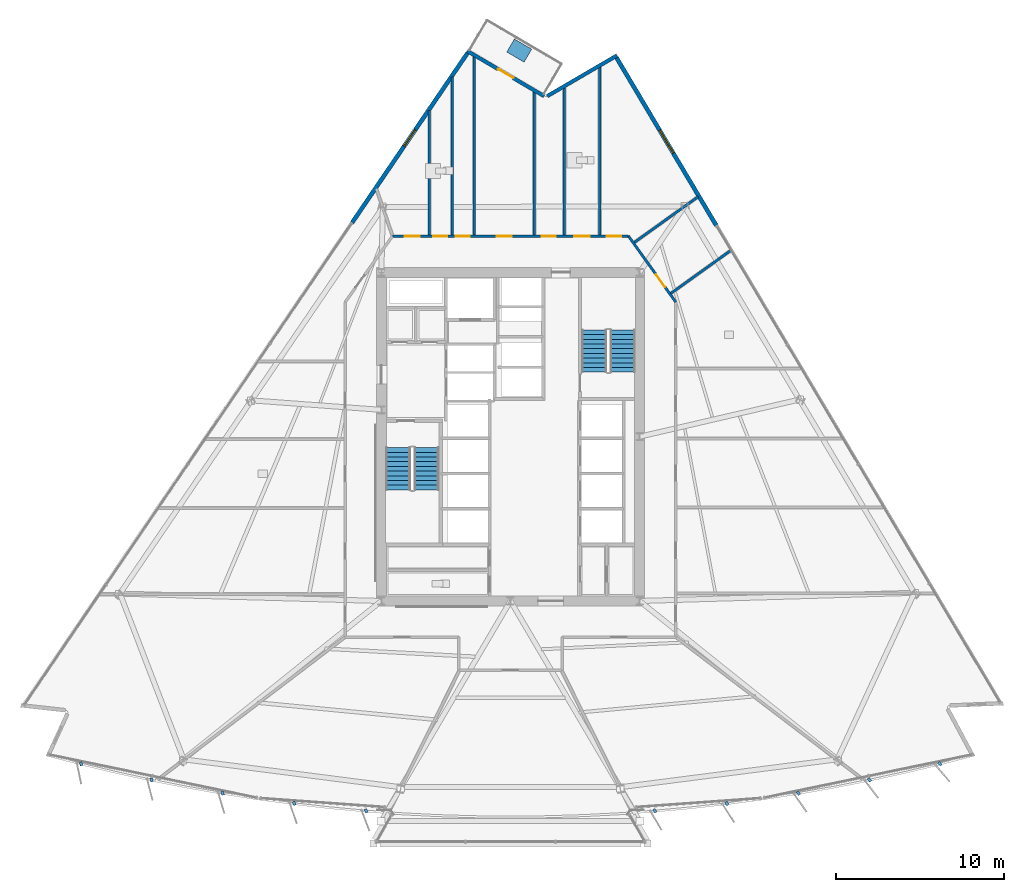
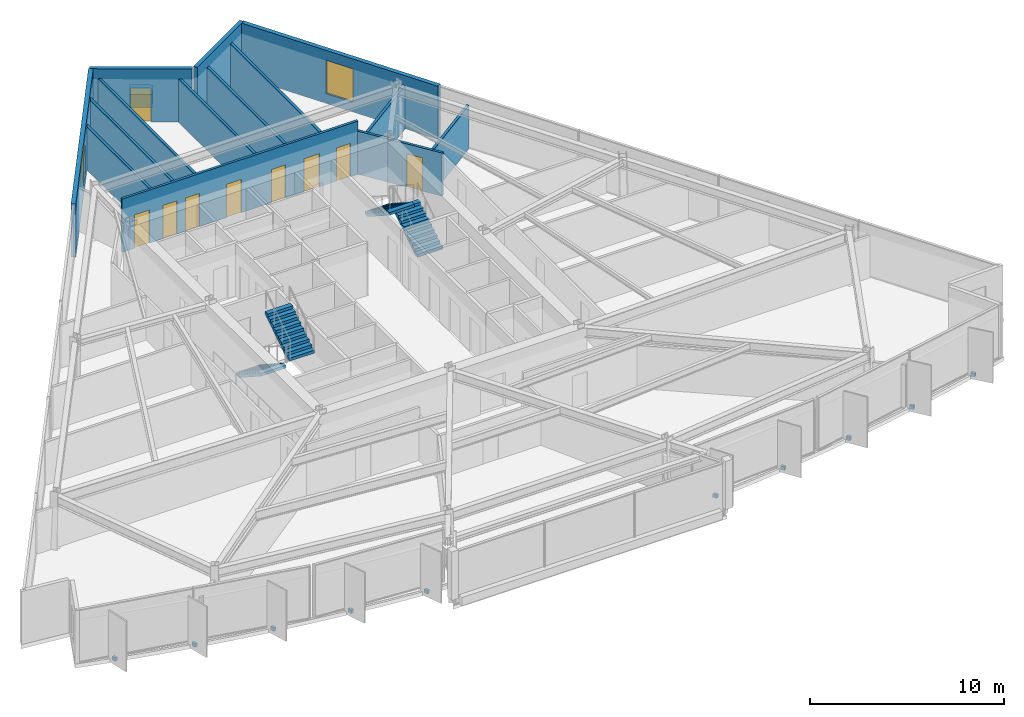
# One storey, part 11 of 16: 14 walls, 11 discrete accessories, 9 doors, 4 stair flights, 2 windows, 11 openings, 2 elements without a shape of their own.
"""IFC4 building model written with IfcOpenShell, lengths in metres."""

from ifc_helpers import new_model, si_unit, direction, frame, frame_2d, origin, origin_2d, place, context, subcontext, project, spatial, polyline, rectangle, outline, extrude, material, layer, layer_set, type_object, element, fill, aggregate, save


model = new_model("IFC4")

# Units and contexts
model_context = context("Model", 3, precision=1e-05, world=origin(), true_north=direction((0.0, 1.0)))
body_context = subcontext(model_context, "Body", "Model", "MODEL_VIEW")
ifc_project = project(units=[si_unit("LENGTHUNIT", "METRE"), si_unit("AREAUNIT", "SQUARE_METRE"), si_unit("VOLUMEUNIT", "CUBIC_METRE"), si_unit("PLANEANGLEUNIT", "RADIAN"), si_unit("MASSUNIT", "GRAM", prefix="KILO")], contexts=[model_context])

# Site, building, storey
site_placement = place(None, origin())
site = spatial("IfcSite", under=ifc_project, at=site_placement, CompositionType="ELEMENT")
building_placement = place(site_placement, origin())
building = spatial("IfcBuilding", under=site, at=building_placement, Name="Savorim Split Tower", CompositionType="ELEMENT")
storey_placement = place(building_placement, frame((0.0, 0.0, 66.0)))
storey = spatial("IfcBuildingStorey", under=building, at=storey_placement, Name="L17", CompositionType="ELEMENT", Elevation=66.0)

# Wall
ifc_material_1 = material(Name="Precast concrete C40/50", Category="concrete")
ifc_layer_1 = layer(ifc_material_1, 0.219970703125)
ifc_layer_set_1 = layer_set([ifc_layer_1], Name="WAL-EXT-CRN220")
wall_type_1 = type_object("IfcWallType", Name="WAL-EXT-CRN220", PredefinedType="SOLIDWALL", material=ifc_layer_set_1)
wall_1_placement = place(storey_placement, frame((2.193359375, 20.71337890625, 0.0), z_axis=(0.0, 0.0, 1.0), x_axis=(0.863964978951, 0.503551899159, 0.0)))
element("IfcWall", 1, at=wall_1_placement, inside=storey, type_object=wall_type_1, Name="L17 Notched Corner Facade Wall NE1", PredefinedType="SOLIDWALL", context=body_context, shape_type="SweptSolid", body=[
    extrude(rectangle(XDim=4.8046875, YDim=0.219970703125, at=frame_2d((2.40234375, 0.0))), origin(), (0.0, 0.0, 1.0), 3.35009765625),
])

# Wall, opening, door
wall_2_placement = place(storey_placement, frame((-2.572265625, 23.40283203125, 0.0), z_axis=(0.0, 0.0, 1.0), x_axis=(0.862137551275, -0.506674296449, 0.0)))
wall_2 = element("IfcWall", 2, at=wall_2_placement, inside=storey, type_object=wall_type_1, Name="L17 Notched Corner Facade Wall N", PredefinedType="SOLIDWALL", context=body_context, shape_type="SweptSolid", body=[
    extrude(rectangle(XDim=5.30712890625, YDim=0.219970703125, at=frame_2d((2.653564453125, 0.0))), origin(), (0.0, 0.0, 1.0), 3.35009765625),
])
opening_1_placement = place(wall_2_placement, frame((2.12841796875, 0.0, 0.0)))
opening_1 = element("IfcOpeningElement", 3, at=opening_1_placement, cuts=wall_2, Name="Opening DB-01", PredefinedType="OPENING", context=body_context, shape_type="SweptSolid", body=[
    extrude(rectangle(XDim=1.050048828125, YDim=2.14990234375, at=frame_2d((0.52490234375, 1.074951171875))), frame((0.0, 0.119873046875, 0.0), z_axis=(0.0, -1.0, 0.0), x_axis=(1.0, 0.0, 0.0)), (0.0, 0.0, 1.0), 0.239990234375),
])
ifc_material_2 = material(Name="Charcoal Anodised Aluminium", Category="aluminium")
door_type_1 = type_object("IfcDoorType", Name="DOR-BAL-1050", OperationType="NOTDEFINED", PredefinedType="DOOR", material=ifc_material_2)
door_1_placement = place(opening_1_placement, origin())
door_1 = element("IfcDoor", 4, at=door_1_placement, inside=storey, type_object=door_type_1, Name="DOR-L17-TBAL-N - L17 Planted Tree Balcony Door N", OperationType="SINGLE_SWING_RIGHT", OverallHeight=2.14990234375, OverallWidth=1.050048828125, PredefinedType="DOOR", context=body_context, shape_type="SweptSolid", body=[
    extrude(rectangle(XDim=1.050048828125, YDim=2.14990234375, at=frame_2d((0.52490234375, 1.074951171875))), frame((0.0, 0.02490234375, 0.0), z_axis=(0.0, -1.0, 0.0), x_axis=(1.0, 0.0, 0.0)), (0.0, 0.0, 1.0), 0.050048828125),
])
fill(opening_1, door_1)

# Wall, opening, window
ifc_layer_2 = layer(ifc_material_1, 0.25)
ifc_layer_set_2 = layer_set([ifc_layer_2], Name="WAL-EXT-SPN250")
wall_type_2 = type_object("IfcWallType", Name="WAL-EXT-SPN250", PredefinedType="SOLIDWALL", material=ifc_layer_set_2)
wall_3_placement = place(storey_placement, frame((6.327880859375, 23.006103515625, 0.0), z_axis=(0.0, 0.0, 1.0), x_axis=(0.511075811474, -0.859535639125, 0.0)))
wall_3 = element("IfcWall", 5, at=wall_3_placement, inside=storey, type_object=wall_type_2, Name="L17 East Operable Window Pier", PredefinedType="SOLIDWALL", context=body_context, shape_type="SweptSolid", body=[
    extrude(rectangle(XDim=11.645751953125, YDim=0.25, at=frame_2d((5.82275390625, 0.0))), origin(), (0.0, 0.0, 1.0), 3.35009765625),
])
opening_2_placement = place(wall_3_placement, frame((5.02294921875, 0.0, 0.6201171875)))
opening_2 = element("IfcOpeningElement", 6, at=opening_2_placement, cuts=wall_3, Name="Opening WN-05", PredefinedType="OPENING", context=body_context, shape_type="SweptSolid", body=[
    extrude(rectangle(XDim=1.60009765625, YDim=2.10009765625, at=frame_2d((0.800048828125, 1.050048828125))), frame((0.0, 0.135009765625, 0.0), z_axis=(0.0, -1.0, 0.0), x_axis=(1.0, 0.0, 0.0)), (0.0, 0.0, 1.0), 0.27001953125),
])
ifc_material_3 = material(Name="Low-E Operable Double Glazing", Category="glass")
window_type_1 = type_object("IfcWindowType", Name="WIN-TWR-1600x2100", PartitioningType="DOUBLE_PANEL_VERTICAL", PredefinedType="WINDOW", material=ifc_material_3)
window_1_placement = place(opening_2_placement, origin())
window_1 = element("IfcWindow", 7, at=window_1_placement, inside=storey, type_object=window_type_1, Name="L17 East Operable Ventilation Window", OverallHeight=2.10009765625, OverallWidth=1.60009765625, PartitioningType="SINGLE_PANEL", PredefinedType="WINDOW", context=body_context, shape_type="SweptSolid", body=[
    extrude(rectangle(XDim=1.60009765625, YDim=2.10009765625, at=frame_2d((0.800048828125, 1.050048828125))), frame((0.0, 0.030029296875, 0.0), z_axis=(0.0, -1.0, 0.0), x_axis=(1.0, 0.0, 0.0)), (0.0, 0.0, 1.0), 0.06005859375),
])
fill(opening_2, window_1)

wall_4_placement = place(storey_placement, frame((-9.45068359375, 13.163330078125, 0.0), z_axis=(0.0, 0.0, 1.0), x_axis=(0.562478152622, 0.826812147844, 0.0)))
wall_4 = element("IfcWall", 8, at=wall_4_placement, inside=storey, type_object=wall_type_2, Name="L17 West Operable Window Pier", PredefinedType="SOLIDWALL", context=body_context, shape_type="SweptSolid", body=[
    extrude(rectangle(XDim=12.232177734375, YDim=0.25, at=frame_2d((6.1162109375, 0.0))), origin(), (0.0, 0.0, 1.0), 3.35009765625),
])
opening_3_placement = place(wall_4_placement, frame((5.51611328125, 0.0, 0.6201171875)))
opening_3 = element("IfcOpeningElement", 9, at=opening_3_placement, cuts=wall_4, Name="Opening WN-08", PredefinedType="OPENING", context=body_context, shape_type="SweptSolid", body=[
    extrude(rectangle(XDim=1.199951171875, YDim=1.800048828125, at=frame_2d((0.60009765625, 0.89990234375))), frame((0.0, 0.135009765625, 0.0), z_axis=(0.0, -1.0, 0.0), x_axis=(1.0, 0.0, 0.0)), (0.0, 0.0, 1.0), 0.27001953125),
])
window_type_2 = type_object("IfcWindowType", Name="WIN-TWR-1200x1800", PartitioningType="SINGLE_PANEL", PredefinedType="WINDOW", material=ifc_material_3)
window_2_placement = place(opening_3_placement, origin())
window_2 = element("IfcWindow", 10, at=window_2_placement, inside=storey, type_object=window_type_2, Name="L17 West Operable Ventilation Window", OverallHeight=1.800048828125, OverallWidth=1.199951171875, PartitioningType="SINGLE_PANEL", PredefinedType="WINDOW", context=body_context, shape_type="SweptSolid", body=[
    extrude(rectangle(XDim=1.199951171875, YDim=1.800048828125, at=frame_2d((0.60009765625, 0.89990234375))), frame((0.0, 0.030029296875, 0.0), z_axis=(0.0, -1.0, 0.0), x_axis=(1.0, 0.0, 0.0)), (0.0, 0.0, 1.0), 0.06005859375),
])
fill(opening_3, window_2)

# Wall, openings, doors
ifc_material_4 = material(Name="Acoustic Gypsum Partition Board")
ifc_layer_3 = layer(ifc_material_4, 0.14990234375)
ifc_layer_set_3 = layer_set([ifc_layer_3], Name="WAL-PAR-150")
wall_type_3 = type_object("IfcWallType", Name="WAL-PAR-150", PredefinedType="PARTITIONING", material=ifc_layer_set_3)
wall_5_placement = place(storey_placement, frame((-7.041015625, 12.360107421875, 0.0), z_axis=(0.0, 0.0, 1.0), x_axis=(1.0, 0.0, 0.0)))
wall_5 = element("IfcWall", 11, at=wall_5_placement, inside=storey, type_object=wall_type_3, Name="L17 Partition W-L17-COR-03", PredefinedType="PARTITIONING", context=body_context, shape_type="SweptSolid", body=[
    extrude(rectangle(XDim=14.08203125, YDim=0.14990234375, at=frame_2d((7.041015625, 0.0))), origin(), (0.0, 0.0, 1.0), 3.35009765625),
])
opening_4_placement = place(wall_5_placement, frame((12.783935546875, 0.0, 0.0)))
opening_4 = element("IfcOpeningElement", 12, at=opening_4_placement, cuts=wall_5, Name="Opening DI-13", PredefinedType="OPENING", context=body_context, shape_type="SweptSolid", body=[
    extrude(rectangle(XDim=0.85009765625, YDim=2.10009765625, at=frame_2d((0.425048828125, 1.050048828125))), frame((0.0, 0.0849609375, 0.0), z_axis=(0.0, -1.0, 0.0), x_axis=(1.0, 0.0, 0.0)), (0.0, 0.0, 1.0), 0.169921875),
])
opening_5_placement = place(wall_5_placement, frame((10.858154296875, 0.0, 0.0)))
opening_5 = element("IfcOpeningElement", 13, at=opening_5_placement, cuts=wall_5, Name="Opening DI-11", PredefinedType="OPENING", context=body_context, shape_type="SweptSolid", body=[
    extrude(rectangle(XDim=0.89990234375, YDim=2.10009765625, at=frame_2d((0.449951171875, 1.050048828125))), frame((0.0, 0.0849609375, 0.0), z_axis=(0.0, -1.0, 0.0), x_axis=(1.0, 0.0, 0.0)), (0.0, 0.0, 1.0), 0.169921875),
])
opening_6_placement = place(wall_5_placement, frame((8.90380859375, 0.0, 0.0)))
opening_6 = element("IfcOpeningElement", 14, at=opening_6_placement, cuts=wall_5, Name="Opening DI-13", PredefinedType="OPENING", context=body_context, shape_type="SweptSolid", body=[
    extrude(rectangle(XDim=0.85009765625, YDim=2.10009765625, at=frame_2d((0.425048828125, 1.050048828125))), frame((0.0, 0.0849609375, 0.0), z_axis=(0.0, -1.0, 0.0), x_axis=(1.0, 0.0, 0.0)), (0.0, 0.0, 1.0), 0.169921875),
])
opening_7_placement = place(wall_5_placement, frame((6.2119140625, 0.0, 0.0)))
opening_7 = element("IfcOpeningElement", 15, at=opening_7_placement, cuts=wall_5, Name="Opening DI-06", PredefinedType="OPENING", context=body_context, shape_type="SweptSolid", body=[
    extrude(rectangle(XDim=0.89990234375, YDim=2.10009765625, at=frame_2d((0.449951171875, 1.050048828125))), frame((0.0, 0.0849609375, 0.0), z_axis=(0.0, -1.0, 0.0), x_axis=(1.0, 0.0, 0.0)), (0.0, 0.0, 1.0), 0.169921875),
])
opening_8_placement = place(wall_5_placement, frame((3.7626953125, 0.0, 0.0)))
opening_8 = element("IfcOpeningElement", 16, at=opening_8_placement, cuts=wall_5, Name="Opening DI-13", PredefinedType="OPENING", context=body_context, shape_type="SweptSolid", body=[
    extrude(rectangle(XDim=0.85009765625, YDim=2.10009765625, at=frame_2d((0.425048828125, 1.050048828125))), frame((0.0, 0.0849609375, 0.0), z_axis=(0.0, -1.0, 0.0), x_axis=(1.0, 0.0, 0.0)), (0.0, 0.0, 1.0), 0.169921875),
])
opening_9_placement = place(wall_5_placement, frame((2.429443359375, 0.0, 0.0)))
opening_9 = element("IfcOpeningElement", 17, at=opening_9_placement, cuts=wall_5, Name="Opening DI-13", PredefinedType="OPENING", context=body_context, shape_type="SweptSolid", body=[
    extrude(rectangle(XDim=0.85009765625, YDim=2.10009765625, at=frame_2d((0.425048828125, 1.050048828125))), frame((0.0, 0.0849609375, 0.0), z_axis=(0.0, -1.0, 0.0), x_axis=(1.0, 0.0, 0.0)), (0.0, 0.0, 1.0), 0.169921875),
])
opening_10_placement = place(wall_5_placement, frame((0.740478515625, 0.0, 0.0)))
opening_10 = element("IfcOpeningElement", 18, at=opening_10_placement, cuts=wall_5, Name="Opening DI-06", PredefinedType="OPENING", context=body_context, shape_type="SweptSolid", body=[
    extrude(rectangle(XDim=0.89990234375, YDim=2.10009765625, at=frame_2d((0.449951171875, 1.050048828125))), frame((0.0, 0.0849609375, 0.0), z_axis=(0.0, -1.0, 0.0), x_axis=(1.0, 0.0, 0.0)), (0.0, 0.0, 1.0), 0.169921875),
])
ifc_material_5 = material(Name="Timber Fire Door Leaf", Category="wood")
door_type_2 = type_object("IfcDoorType", Name="DOR-FIR-850", OperationType="NOTDEFINED", PredefinedType="DOOR", material=ifc_material_5)
door_2_placement = place(opening_4_placement, origin())
door_2 = element("IfcDoor", 19, at=door_2_placement, inside=storey, type_object=door_type_2, Name="DR-L17-RM13 - L17 Co-Living Bedroom Entry Door", OperationType="SINGLE_SWING_RIGHT", OverallHeight=2.10009765625, OverallWidth=0.85009765625, PredefinedType="DOOR", context=body_context, shape_type="SweptSolid", body=[
    extrude(rectangle(XDim=0.85009765625, YDim=2.10009765625, at=frame_2d((0.425048828125, 1.050048828125))), frame((0.0, 0.02490234375, 0.0), z_axis=(0.0, -1.0, 0.0), x_axis=(1.0, 0.0, 0.0)), (0.0, 0.0, 1.0), 0.050048828125),
])
fill(opening_4, door_2)
door_3_placement = place(opening_6_placement, origin())
door_3 = element("IfcDoor", 20, at=door_3_placement, inside=storey, type_object=door_type_2, Name="DR-L17-RM15 - L17 Quiet Study Room Entry Door", OperationType="SINGLE_SWING_RIGHT", OverallHeight=2.10009765625, OverallWidth=0.85009765625, PredefinedType="DOOR", context=body_context, shape_type="SweptSolid", body=[
    extrude(rectangle(XDim=0.85009765625, YDim=2.10009765625, at=frame_2d((0.425048828125, 1.050048828125))), frame((0.0, 0.02490234375, 0.0), z_axis=(0.0, -1.0, 0.0), x_axis=(1.0, 0.0, 0.0)), (0.0, 0.0, 1.0), 0.050048828125),
])
fill(opening_6, door_3)
door_4_placement = place(opening_8_placement, origin())
door_4 = element("IfcDoor", 21, at=door_4_placement, inside=storey, type_object=door_type_2, Name="DR-L17-RM17 - L17 Quiet Study Room Entry Door", OperationType="SINGLE_SWING_RIGHT", OverallHeight=2.10009765625, OverallWidth=0.85009765625, PredefinedType="DOOR", context=body_context, shape_type="SweptSolid", body=[
    extrude(rectangle(XDim=0.85009765625, YDim=2.10009765625, at=frame_2d((0.425048828125, 1.050048828125))), frame((0.0, 0.02490234375, 0.0), z_axis=(0.0, -1.0, 0.0), x_axis=(1.0, 0.0, 0.0)), (0.0, 0.0, 1.0), 0.050048828125),
])
fill(opening_8, door_4)
door_5_placement = place(opening_9_placement, origin())
door_5 = element("IfcDoor", 22, at=door_5_placement, inside=storey, type_object=door_type_2, Name="DR-L17-RM18 - L17 Shared Bathroom Entry Door", OperationType="SINGLE_SWING_LEFT", OverallHeight=2.10009765625, OverallWidth=0.85009765625, PredefinedType="DOOR", context=body_context, shape_type="SweptSolid", body=[
    extrude(rectangle(XDim=0.85009765625, YDim=2.10009765625, at=frame_2d((0.425048828125, 1.050048828125))), frame((0.0, 0.02490234375, 0.0), z_axis=(0.0, -1.0, 0.0), x_axis=(1.0, 0.0, 0.0)), (0.0, 0.0, 1.0), 0.050048828125),
])
fill(opening_9, door_5)
door_type_3 = type_object("IfcDoorType", Name="DOR-FIR-900", OperationType="NOTDEFINED", PredefinedType="DOOR", material=ifc_material_5)
door_6_placement = place(opening_7_placement, origin())
door_6 = element("IfcDoor", 23, at=door_6_placement, inside=storey, type_object=door_type_3, Name="DR-L17-RM16 - L17 Quiet Study Room Entry Door", OperationType="SINGLE_SWING_LEFT", OverallHeight=2.10009765625, OverallWidth=0.89990234375, PredefinedType="DOOR", context=body_context, shape_type="SweptSolid", body=[
    extrude(rectangle(XDim=0.89990234375, YDim=2.10009765625, at=frame_2d((0.449951171875, 1.050048828125))), frame((0.0, 0.02490234375, 0.0), z_axis=(0.0, -1.0, 0.0), x_axis=(1.0, 0.0, 0.0)), (0.0, 0.0, 1.0), 0.050048828125),
])
fill(opening_7, door_6)
door_7_placement = place(opening_10_placement, origin())
door_7 = element("IfcDoor", 24, at=door_7_placement, inside=storey, type_object=door_type_3, Name="DR-L17-RM19 - L17 Quiet Study Room Entry Door", OperationType="SINGLE_SWING_RIGHT", OverallHeight=2.10009765625, OverallWidth=0.89990234375, PredefinedType="DOOR", context=body_context, shape_type="SweptSolid", body=[
    extrude(rectangle(XDim=0.89990234375, YDim=2.10009765625, at=frame_2d((0.449951171875, 1.050048828125))), frame((0.0, 0.02490234375, 0.0), z_axis=(0.0, -1.0, 0.0), x_axis=(1.0, 0.0, 0.0)), (0.0, 0.0, 1.0), 0.050048828125),
])
fill(opening_10, door_7)
ifc_material_6 = material(Name="Oak Veneer Acoustic Door")
door_type_4 = type_object("IfcDoorType", Name="DOR-WC-900", OperationType="NOTDEFINED", PredefinedType="DOOR", material=ifc_material_6)
door_8_placement = place(opening_5_placement, origin())
door_8 = element("IfcDoor", 25, at=door_8_placement, inside=storey, type_object=door_type_4, Name="DR-L17-RM14 - L17 Shared Bathroom Entry Door", OperationType="SINGLE_SWING_LEFT", OverallHeight=2.10009765625, OverallWidth=0.89990234375, PredefinedType="DOOR", context=body_context, shape_type="SweptSolid", body=[
    extrude(rectangle(XDim=0.89990234375, YDim=2.10009765625, at=frame_2d((0.449951171875, 1.050048828125))), frame((0.0, 0.02490234375, 0.0), z_axis=(0.0, -1.0, 0.0), x_axis=(1.0, 0.0, 0.0)), (0.0, 0.0, 1.0), 0.050048828125),
])
fill(opening_5, door_8)

# Wall, opening, door
wall_6_placement = place(storey_placement, frame((7.041015625, 12.360107421875, 0.0), z_axis=(0.0, 0.0, 1.0), x_axis=(0.582449511476, -0.812866881218, 0.0)))
wall_6 = element("IfcWall", 26, at=wall_6_placement, inside=storey, type_object=wall_type_3, Name="L17 Partition W-L17-COR-04", PredefinedType="PARTITIONING", context=body_context, shape_type="SweptSolid", body=[
    extrude(rectangle(XDim=4.840087890625, YDim=0.14990234375, at=frame_2d((2.419921875, 0.0))), origin(), (0.0, 0.0, 1.0), 2.72509765625),
])
opening_11_placement = place(wall_6_placement, frame((2.82470703125, 0.0, 0.0)))
opening_11 = element("IfcOpeningElement", 27, at=opening_11_placement, cuts=wall_6, Name="Opening DI-06", PredefinedType="OPENING", context=body_context, shape_type="SweptSolid", body=[
    extrude(rectangle(XDim=0.89990234375, YDim=2.10009765625, at=frame_2d((0.449951171875, 1.050048828125))), frame((0.0, 0.0849609375, 0.0), z_axis=(0.0, -1.0, 0.0), x_axis=(1.0, 0.0, 0.0)), (0.0, 0.0, 1.0), 0.169921875),
])
door_9_placement = place(opening_11_placement, origin())
door_9 = element("IfcDoor", 28, at=door_9_placement, inside=storey, type_object=door_type_3, Name="DR-L17-RM12 - L17 Quiet Study Room Entry Door", OperationType="SINGLE_SWING_LEFT", OverallHeight=2.10009765625, OverallWidth=0.89990234375, PredefinedType="DOOR", context=body_context, shape_type="SweptSolid", body=[
    extrude(rectangle(XDim=0.89990234375, YDim=2.10009765625, at=frame_2d((0.449951171875, 1.050048828125))), frame((0.0, 0.02490234375, 0.0), z_axis=(0.0, -1.0, 0.0), x_axis=(1.0, 0.0, 0.0)), (0.0, 0.0, 1.0), 0.050048828125),
])
fill(opening_11, door_9)

# Walls
wall_7_placement = place(storey_placement, frame((7.384033203125, 11.984375, 0.0), z_axis=(0.0, 0.0, 1.0), x_axis=(0.812878301618, 0.582433572829, 0.0)))
element("IfcWall", 29, at=wall_7_placement, inside=storey, type_object=wall_type_3, Name="L17 Partition W-L17-PRAD07", PredefinedType="PARTITIONING", context=body_context, shape_type="SweptSolid", body=[
    extrude(rectangle(XDim=4.692138671875, YDim=0.14990234375, at=frame_2d((2.34619140625, 0.0))), origin(), (0.0, 0.0, 1.0), 2.72509765625),
])
wall_8_placement = place(storey_placement, frame((1.414306640625, 12.419921875, 0.0), z_axis=(0.0, 0.0, 1.0), x_axis=(0.0, 1.0, 0.0)))
element("IfcWall", 30, at=wall_8_placement, inside=storey, type_object=wall_type_3, Name="L17 Partition W-L17-SUB01", PredefinedType="PARTITIONING", context=body_context, shape_type="SweptSolid", body=[
    extrude(rectangle(XDim=8.581787109375, YDim=0.14990234375, at=frame_2d((4.291015625, 0.0))), origin(), (0.0, 0.0, 1.0), 2.735107421875),
])
wall_9_placement = place(storey_placement, frame((5.322998046875, 12.419921875, 0.0), z_axis=(0.0, 0.0, 1.0), x_axis=(0.0, 1.0, 0.0)))
element("IfcWall", 31, at=wall_9_placement, inside=storey, type_object=wall_type_3, Name="L17 Partition W-L17-SUB04", PredefinedType="PARTITIONING", context=body_context, shape_type="SweptSolid", body=[
    extrude(rectangle(XDim=10.0595703125, YDim=0.14990234375, at=frame_2d((5.02978515625, 0.0))), origin(), (0.0, 0.0, 1.0), 2.735107421875),
])
wall_10_placement = place(storey_placement, frame((-3.484619140625, 12.419921875, 0.0), z_axis=(0.0, 0.0, 1.0), x_axis=(0.0, 1.0, 0.0)))
element("IfcWall", 32, at=wall_10_placement, inside=storey, type_object=wall_type_3, Name="L17 Partition W-L17-SUB05", PredefinedType="PARTITIONING", context=body_context, shape_type="SweptSolid", body=[
    extrude(rectangle(XDim=9.4248046875, YDim=0.14990234375, at=frame_2d((4.71240234375, 0.0))), origin(), (0.0, 0.0, 1.0), 2.735107421875),
])
wall_11_placement = place(storey_placement, frame((3.211181640625, 12.419921875, 0.0), z_axis=(0.0, 0.0, 1.0), x_axis=(0.0, 1.0, 0.0)))
element("IfcWall", 33, at=wall_11_placement, inside=storey, type_object=wall_type_3, Name="L17 Partition W-L17-SUB09", PredefinedType="PARTITIONING", context=body_context, shape_type="SweptSolid", body=[
    extrude(rectangle(XDim=8.828857421875, YDim=0.14990234375, at=frame_2d((4.41455078125, 0.0))), origin(), (0.0, 0.0, 1.0), 2.735107421875),
])
wall_12_placement = place(storey_placement, frame((-2.172607421875, 12.419921875, 0.0), z_axis=(0.0, 0.0, 1.0), x_axis=(0.0, 1.0, 0.0)))
element("IfcWall", 34, at=wall_12_placement, inside=storey, type_object=wall_type_3, Name="L17 Partition W-L17-SUB10", PredefinedType="PARTITIONING", context=body_context, shape_type="SweptSolid", body=[
    extrude(rectangle(XDim=10.690185546875, YDim=0.14990234375, at=frame_2d((5.34521484375, 0.0))), origin(), (0.0, 0.0, 1.0), 2.735107421875),
])
wall_13_placement = place(storey_placement, frame((-4.838623046875, 12.419921875, 0.0), z_axis=(0.0, 0.0, 1.0), x_axis=(0.0, 1.0, 0.0)))
element("IfcWall", 35, at=wall_13_placement, inside=storey, type_object=wall_type_3, Name="L17 Partition W-L17-SUB11", PredefinedType="PARTITIONING", context=body_context, shape_type="SweptSolid", body=[
    extrude(rectangle(XDim=7.434326171875, YDim=0.14990234375, at=frame_2d((3.71728515625, 0.0))), origin(), (0.0, 0.0, 1.0), 2.735107421875),
])
wall_14_placement = place(storey_placement, frame((9.56201171875, 8.944580078125, 0.0), z_axis=(0.0, 0.0, 1.0), x_axis=(0.812868674116, 0.582447009299, 0.0)))
element("IfcWall", 36, at=wall_14_placement, inside=storey, type_object=wall_type_3, Name="L17 Partition W-L17-SUB13", PredefinedType="PARTITIONING", context=body_context, shape_type="SweptSolid", body=[
    extrude(rectangle(XDim=4.372802734375, YDim=0.14990234375, at=frame_2d((2.1865234375, 0.0))), origin(), (0.0, 0.0, 1.0), 2.735107421875),
])

# Stair, stair flights
ifc_material_7 = material(Name="Concrete C50/60", Category="concrete")
stair_type = type_object("IfcStairType", Name="STR-DOG-3600", PredefinedType="HALF_TURN_STAIR", material=ifc_material_7)
stair_1_placement = place(storey_placement, origin())
stair_1 = element("IfcStair", 37, at=stair_1_placement, inside=storey, type_object=stair_type, Name="L17 Core Protected Exit Stair ST-1", PredefinedType="HALF_TURN_STAIR")
stair_flight_type = type_object("IfcStairFlightType", Name="SFL-DOG-3600", PredefinedType="STRAIGHT", material=ifc_material_7)
stair_flight_1_placement = place(storey_placement, frame((-6.699951171875, -0.25, 0.0), z_axis=(0.0, 0.0, 1.0), x_axis=(0.0, -1.0, 0.0)))
stair_flight_1 = element("IfcStairFlight", 38, at=stair_flight_1_placement, type_object=stair_flight_type, Name="ST-1 flight 1", NumberOfRisers=10, NumberOfTreads=9, PredefinedType="STRAIGHT", RiserHeight=0.18, TreadLength=0.28, context=body_context, shape_type="SweptSolid", body=[
    extrude(outline(polyline([(0.0, 0.0), (0.0, 0.179931640625), (0.280029296875, 0.179931640625), (0.280029296875, 0.360107421875), (0.56005859375, 0.360107421875), (0.56005859375, 0.5400390625), (0.840087890625, 0.5400390625), (0.840087890625, 0.719970703125), (1.1201171875, 0.719970703125), (1.1201171875, 0.89990234375), (1.39990234375, 0.89990234375), (1.39990234375, 1.080078125), (1.679931640625, 1.080078125), (1.679931640625, 1.260009765625), (1.9599609375, 1.260009765625), (1.9599609375, 1.43994140625), (2.239990234375, 1.43994140625), (2.239990234375, 1.6201171875), (2.52001953125, 1.6201171875), (2.52001953125, 1.800048828125), (2.52001953125, 1.44189453125), (0.277099609375, 0.0), (0.0, 0.0)])), frame((0.0, 0.75, 0.0), z_axis=(0.0, -1.0, 0.0), x_axis=(1.0, 0.0, 0.0)), (0.0, 0.0, 1.0), 1.5),
])
stair_flight_2_placement = place(storey_placement, frame((-5.0, -2.77001953125, 1.800048828125), z_axis=(0.0, 0.0, 1.0), x_axis=(0.0, 1.0, 0.0)))
stair_flight_2 = element("IfcStairFlight", 39, at=stair_flight_2_placement, type_object=stair_flight_type, Name="ST-1 flight 2", NumberOfRisers=10, NumberOfTreads=9, PredefinedType="STRAIGHT", RiserHeight=0.18, TreadLength=0.28, context=body_context, shape_type="SweptSolid", body=[
    extrude(outline(polyline([(0.0, 0.0), (0.0, 0.179931640625), (0.280029296875, 0.179931640625), (0.280029296875, 0.360107421875), (0.56005859375, 0.360107421875), (0.56005859375, 0.5400390625), (0.840087890625, 0.5400390625), (0.840087890625, 0.719970703125), (1.1201171875, 0.719970703125), (1.1201171875, 0.89990234375), (1.39990234375, 0.89990234375), (1.39990234375, 1.080078125), (1.679931640625, 1.080078125), (1.679931640625, 1.260009765625), (1.9599609375, 1.260009765625), (1.9599609375, 1.43994140625), (2.239990234375, 1.43994140625), (2.239990234375, 1.6201171875), (2.52001953125, 1.6201171875), (2.52001953125, 1.800048828125), (2.52001953125, 1.44189453125), (0.277099609375, 0.0), (0.0, 0.0)])), frame((0.0, 0.75, 0.0), z_axis=(0.0, -1.0, 0.0), x_axis=(1.0, 0.0, 0.0)), (0.0, 0.0, 1.0), 1.5),
])
aggregate(stair_1, [stair_flight_1, stair_flight_2])

stair_2_placement = place(storey_placement, origin())
stair_2 = element("IfcStair", 40, at=stair_2_placement, inside=storey, type_object=stair_type, Name="L17 Core Protected Exit Stair ST-2", PredefinedType="HALF_TURN_STAIR")
stair_flight_3_placement = place(storey_placement, frame((6.699951171875, 4.25, 0.0), z_axis=(0.0, 0.0, 1.0), x_axis=(0.0, 1.0, 0.0)))
stair_flight_3 = element("IfcStairFlight", 41, at=stair_flight_3_placement, type_object=stair_flight_type, Name="ST-2 flight 1", NumberOfRisers=10, NumberOfTreads=9, PredefinedType="STRAIGHT", RiserHeight=0.18, TreadLength=0.28, context=body_context, shape_type="SweptSolid", body=[
    extrude(outline(polyline([(0.0, 0.0), (0.0, 0.179931640625), (0.280029296875, 0.179931640625), (0.280029296875, 0.360107421875), (0.56005859375, 0.360107421875), (0.56005859375, 0.5400390625), (0.840087890625, 0.5400390625), (0.840087890625, 0.719970703125), (1.1201171875, 0.719970703125), (1.1201171875, 0.89990234375), (1.39990234375, 0.89990234375), (1.39990234375, 1.080078125), (1.679931640625, 1.080078125), (1.679931640625, 1.260009765625), (1.9599609375, 1.260009765625), (1.9599609375, 1.43994140625), (2.239990234375, 1.43994140625), (2.239990234375, 1.6201171875), (2.52001953125, 1.6201171875), (2.52001953125, 1.800048828125), (2.52001953125, 1.44189453125), (0.277099609375, 0.0), (0.0, 0.0)])), frame((0.0, 0.75, 0.0), z_axis=(0.0, -1.0, 0.0), x_axis=(1.0, 0.0, 0.0)), (0.0, 0.0, 1.0), 1.5),
])
stair_flight_4_placement = place(storey_placement, frame((5.0, 6.77001953125, 1.800048828125), z_axis=(0.0, 0.0, 1.0), x_axis=(0.0, -1.0, 0.0)))
stair_flight_4 = element("IfcStairFlight", 42, at=stair_flight_4_placement, type_object=stair_flight_type, Name="ST-2 flight 2", NumberOfRisers=10, NumberOfTreads=9, PredefinedType="STRAIGHT", RiserHeight=0.18, TreadLength=0.28, context=body_context, shape_type="SweptSolid", body=[
    extrude(outline(polyline([(0.0, 0.0), (0.0, 0.179931640625), (0.280029296875, 0.179931640625), (0.280029296875, 0.360107421875), (0.56005859375, 0.360107421875), (0.56005859375, 0.5400390625), (0.840087890625, 0.5400390625), (0.840087890625, 0.719970703125), (1.1201171875, 0.719970703125), (1.1201171875, 0.89990234375), (1.39990234375, 0.89990234375), (1.39990234375, 1.080078125), (1.679931640625, 1.080078125), (1.679931640625, 1.260009765625), (1.9599609375, 1.260009765625), (1.9599609375, 1.43994140625), (2.239990234375, 1.43994140625), (2.239990234375, 1.6201171875), (2.52001953125, 1.6201171875), (2.52001953125, 1.800048828125), (2.52001953125, 1.44189453125), (0.277099609375, 0.0), (0.0, 0.0)])), frame((0.0, 0.75, 0.0), z_axis=(0.0, -1.0, 0.0), x_axis=(1.0, 0.0, 0.0)), (0.0, 0.0, 1.0), 1.5),
])
aggregate(stair_2, [stair_flight_3, stair_flight_4])

# Discrete accessories
ifc_material_8 = material(Name="Steel S355", Category="steel")
discrete_accessory_type_1 = type_object("IfcDiscreteAccessoryType", Name="ACC-BRK-FIN", PredefinedType="BRACKET", material=ifc_material_8)
for number, where, z_axis, x_axis, name in (
    (43, (-25.611572265625, -19.10986328125, -0.18994140625), (0.0, 0.0, 1.0), (0.206721626106, -0.978399800337, 0.0), "L17 Fin Slab-Edge Cleat Bracket 01"),
    (44, (-21.408935546875, -20.072265625, -0.18994140625), (0.0, 0.0, 1.0), (0.246581250663, -0.969122121727, 0.0), "L17 Fin Slab-Edge Cleat Bracket 02"),
    (45, (-17.17041015625, -20.86181640625, -0.18994140625), (0.0, 0.0, 1.0), (0.286026212504, -0.958221793616, 0.0), "L17 Fin Slab-Edge Cleat Bracket 03"),
    (46, (-12.903076171875, -21.477294921875, -0.18994140625), (0.0, 0.0, 1.0), (0.324993810493, -0.945716143005, 0.0), "L17 Fin Slab-Edge Cleat Bracket 04"),
    (47, (-8.614013671875, -21.917724609375, -0.18994140625), (0.0, 0.0, 1.0), (0.363415461732, -0.931627179817, 0.0), "L17 Fin Slab-Edge Cleat Bracket 05"),
    (48, (8.614013671875, -21.917724609375, -0.18994140625), (0.0, 0.0, 1.0), (0.510391336723, -0.859942255851, 0.0), "L17 Fin Slab-Edge Cleat Bracket 09"),
    (49, (12.903076171875, -21.477294921875, -0.18994140625), (0.0, 0.0, 1.0), (0.545148321708, -0.838339613366, 0.0), "L17 Fin Slab-Edge Cleat Bracket 10"),
    (50, (17.17041015625, -20.86181640625, -0.18994140625), (0.0, 0.0, 1.0), (0.578993757737, -0.815331974414, 0.0), "L17 Fin Slab-Edge Cleat Bracket 11"),
    (51, (21.408935546875, -20.072265625, -0.18994140625), (0.0, 0.0, 1.0), (0.611868076908, -0.790959832394, 0.0), "L17 Fin Slab-Edge Cleat Bracket 12"),
    (52, (25.611572265625, -19.10986328125, -0.18994140625), (0.0, 0.0, 1.0), (0.643719022682, -0.765261928909, 0.0), "L17 Fin Slab-Edge Cleat Bracket 13"),
):
    element("IfcDiscreteAccessory", number, at=place(storey_placement, frame(where, z_axis=z_axis, x_axis=x_axis)), inside=storey, type_object=discrete_accessory_type_1, Name=name, PredefinedType="BRACKET", context=body_context, shape_type="SweptSolid", body=[
        extrude(rectangle(XDim=0.239990234375, YDim=0.159912109375, at=origin_2d()), origin(), (0.0, 0.0, 1.0), 0.219970703125),
    ])
ifc_material_9 = material(Name="Architectural Precast Planter Concrete C40/50", Category="concrete")
discrete_accessory_type_2 = type_object("IfcDiscreteAccessoryType", Name="ACC-PLN-TREE", PredefinedType="USERDEFINED", material=ifc_material_9)
discrete_accessory_placement = place(storey_placement, frame((0.52099609375, 23.42919921875, 0.0), z_axis=(0.0, 0.0, 1.0), x_axis=(-0.86212392453, 0.506697482481, 0.0)))
element("IfcDiscreteAccessory", 53, at=discrete_accessory_placement, inside=storey, type_object=discrete_accessory_type_2, Name="L17 Balcony Precast Tree Planter N", ObjectType="PLANTER", PredefinedType="USERDEFINED", context=body_context, shape_type="SweptSolid", body=[
    extrude(rectangle(XDim=1.199951171875, YDim=0.89990234375, at=origin_2d()), origin(), (0.0, 0.0, 1.0), 0.85009765625),
])

save(model, "model.ifc")
